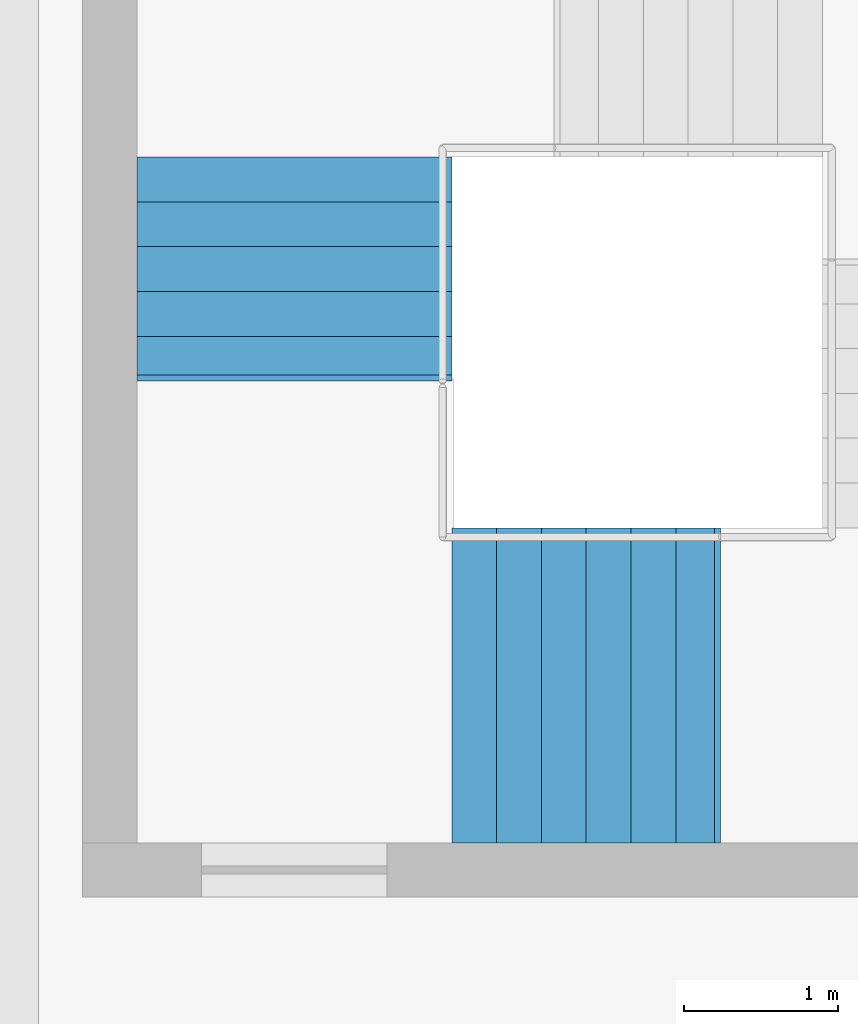
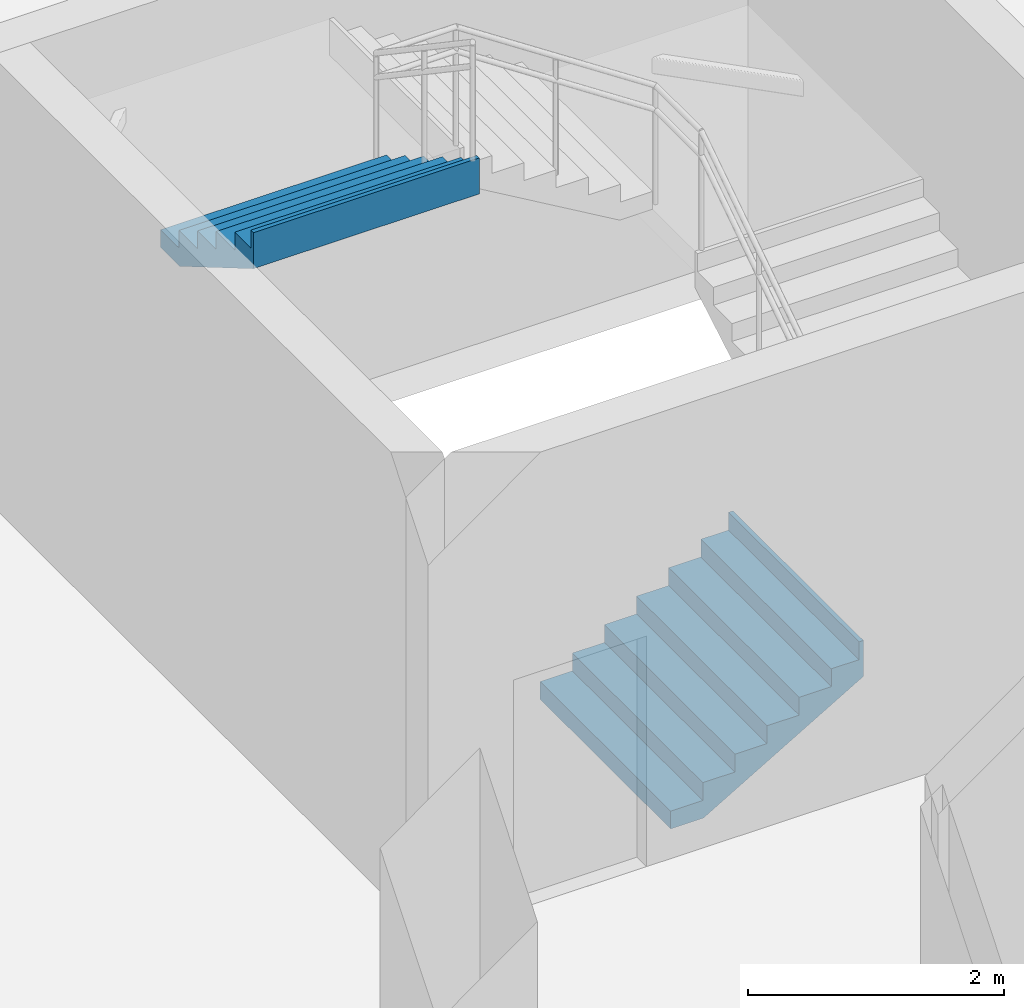
# One storey, part 18 of 32: 2 stair flights, 1 element without a shape of its own.
"""IFC4 building model written with IfcOpenShell, lengths in metres."""

import ifcopenshell
import ifcopenshell.guid

model = None  # the IFC model being written
_history = None  # IfcOwnerHistory: only IFC2X3 demands one
_inside = {}  # id of a spatial element -> (the spatial element, [elements in it])
_under = {}  # id of a project, library or spatial element -> (it, [spatial elements below it])
_declared = {}  # id of a project -> (the project, [libraries it declares])
_typed = {}  # id of a type object -> (the type object, [elements of that type])
_made_of = {}  # id of a material, layer set ... -> (it, [elements and type objects made of it])


def new_model(schema):
    """Start an empty IFC model of exactly this schema.

    Asked for "IFC4X3", IfcOpenShell would pick the latest addendum, in which some entities
    have other attributes; the version numbers below select the first issue.
    IFC2X3 requires an IfcOwnerHistory on every rooted entity: one is made here for all.
    """
    global model, _history
    if schema == "IFC4X3":
        model = ifcopenshell.file(schema_version=(4, 3, 0, 0))
    else:
        model = ifcopenshell.file(schema=schema)
    _inside.clear()
    _under.clear()
    _declared.clear()
    _typed.clear()
    _made_of.clear()
    _history = None
    if model.schema == "IFC2X3":
        org = make("IfcOrganization", Name="unknown")
        user = make(
            "IfcPersonAndOrganization",
            ThePerson=make("IfcPerson", FamilyName="unknown"),
            TheOrganization=org,
        )
        app = make(
            "IfcApplication",
            ApplicationDeveloper=org,
            Version="unknown",
            ApplicationFullName="unknown",
            ApplicationIdentifier="unknown",
        )
        _history = make(
            "IfcOwnerHistory",
            OwningUser=user,
            OwningApplication=app,
            ChangeAction="ADDED",
            CreationDate=0,
        )
    return model


def make(cls, **values):
    """One entity of the class cls with the attributes given. An attribute that is None is left unset."""
    return model.create_entity(
        cls, **{name: value for name, value in values.items() if value is not None}
    )


def rooted(cls, **values):
    """An entity with a GlobalId (a new one), such as an element, a storey or a relation."""
    return make(cls, GlobalId=ifcopenshell.guid.new(), OwnerHistory=_history, **values)


def si_unit(unit_type, name, prefix=None):
    """IfcSIUnit, for example si_unit("LENGTHUNIT", "METRE", prefix="MILLI")."""
    return make("IfcSIUnit", UnitType=unit_type, Prefix=prefix, Name=name)


def assignment(units):
    """IfcUnitAssignment: the units of a project."""
    return None if units is None else make("IfcUnitAssignment", Units=units)


def point(xyz):
    """IfcCartesianPoint."""
    return None if xyz is None else make("IfcCartesianPoint", Coordinates=xyz)


def direction(xyz):
    """IfcDirection."""
    return None if xyz is None else make("IfcDirection", DirectionRatios=xyz)


def frame(location, z_axis=None, x_axis=None):
    """IfcAxis2Placement3D, a coordinate frame: its origin and axes. An axis left out is left unset."""
    return make(
        "IfcAxis2Placement3D",
        Location=point(location),
        Axis=direction(z_axis),
        RefDirection=direction(x_axis),
    )


def origin():
    """The frame at (0, 0, 0) with its axes left unset."""
    return frame((0.0, 0.0, 0.0))


def place(relative_to, where):
    """IfcLocalPlacement: puts the frame where relative to a parent placement (None: the world)."""
    return make(
        "IfcLocalPlacement", PlacementRelTo=relative_to, RelativePlacement=where
    )


def context(
    kind, dimensions, precision=None, world=None, true_north=None, identifier=None
):
    """IfcGeometricRepresentationContext, for example the 3D "Model" context."""
    return make(
        "IfcGeometricRepresentationContext",
        ContextIdentifier=identifier,
        ContextType=kind,
        CoordinateSpaceDimension=dimensions,
        Precision=precision,
        WorldCoordinateSystem=world,
        TrueNorth=true_north,
    )


def subcontext(parent, identifier, kind, view, scale=None):
    """IfcGeometricRepresentationSubContext, for example "Body" below "Model"."""
    return make(
        "IfcGeometricRepresentationSubContext",
        ContextIdentifier=identifier,
        ContextType=kind,
        ParentContext=parent,
        TargetScale=scale,
        TargetView=view,
    )


def project(units=None, contexts=None):
    """IfcProject with its units and contexts."""
    return rooted(
        "IfcProject",
        Name="project",
        RepresentationContexts=contexts,
        UnitsInContext=assignment(units),
    )


def spatial(cls, under=None, at=None, **own):
    """A site, building, storey or space (cls), placed at a placement, below another one or the project."""
    s = rooted(cls, ObjectPlacement=at, **own)
    if under is not None:
        _under.setdefault(under.id(), (under, []))[1].append(s)
    return s


def point_list(points):
    """IfcCartesianPointList2D or 3D."""
    cls = (
        "IfcCartesianPointList2D" if len(points[0]) == 2 else "IfcCartesianPointList3D"
    )
    return make(cls, CoordList=points)


def triangles(points, corners, closed=None, point_numbers=None):
    """IfcTriangulatedFaceSet: each triangle names its three corners, points numbered from 1."""
    return make(
        "IfcTriangulatedFaceSet",
        Coordinates=point_list(points),
        Closed=closed,
        CoordIndex=corners,
        PnIndex=point_numbers,
    )


def shape(context_of_items, identifier, shape_type, items):
    """IfcShapeRepresentation: the items that make up one representation, for example the "Body"."""
    return make(
        "IfcShapeRepresentation",
        ContextOfItems=context_of_items,
        RepresentationIdentifier=identifier,
        RepresentationType=shape_type,
        Items=items,
    )


def material(Name=None, Category=None):
    """IfcMaterial."""
    return make("IfcMaterial", Name=Name, Category=Category)


def made_of(thing, what):
    """Note that an element or type object is made of a material, layer set ...; save() writes the relation."""
    if what is not None:
        _made_of.setdefault(what.id(), (what, []))[1].append(thing)
    return thing


def type_object(cls, material=None, **own):
    """A type object (cls), such as IfcWallType, which elements share."""
    return made_of(rooted(cls, **own), material)


def element(
    cls,
    number,
    at=None,
    inside=None,
    cuts=None,
    type_object=None,
    material=None,
    context=None,
    identifier="Body",
    shape_type=None,
    held_by="IfcProductDefinitionShape",
    body=None,
    shapes=None,
    **own,
):
    """One element of the class cls, such as IfcWall. Its Tag is "e" and its number.

    at: its placement. inside: the storey or other place that contains it. cuts: it is an
    opening in that element (IfcRelVoidsElement). A single representation is given by context,
    identifier, shape_type and body (its items); several are given by shapes. held_by: the class
    of the entity that holds the representations. save() writes the other relations.
    """
    e = rooted(cls, Tag="e%d" % number, ObjectPlacement=at, **own)
    if body is not None:
        shapes = [shape(context, identifier, shape_type, body)]
    if shapes is not None:
        e.Representation = make(held_by, Representations=shapes)
    if inside is not None:
        _inside.setdefault(inside.id(), (inside, []))[1].append(e)
    if cuts is not None:
        rooted(
            "IfcRelVoidsElement", RelatingBuildingElement=cuts, RelatedOpeningElement=e
        )
    if type_object is not None:
        _typed.setdefault(type_object.id(), (type_object, []))[1].append(e)
    return made_of(e, material)


def aggregate(whole, parts):
    """IfcRelAggregates: a whole, such as a stair, and the parts it consists of."""
    return rooted("IfcRelAggregates", RelatingObject=whole, RelatedObjects=parts)


def save(model, path):
    """Write the relations noted so far, then the file.

    IfcRelAggregates (storeys below a building ...), IfcRelContainedInSpatialStructure (elements
    in a storey), IfcRelDefinesByType, IfcRelAssociatesMaterial and IfcRelDeclares: one each for
    every whole, place, type object, material and project.
    """
    for whole, parts in _under.values():
        aggregate(whole, parts)
    for where, things in _inside.values():
        rooted(
            "IfcRelContainedInSpatialStructure",
            RelatedElements=things,
            RelatingStructure=where,
        )
    for kind, things in _typed.values():
        rooted("IfcRelDefinesByType", RelatedObjects=things, RelatingType=kind)
    for what, things in _made_of.values():
        rooted("IfcRelAssociatesMaterial", RelatedObjects=things, RelatingMaterial=what)
    for by, libraries in _declared.values():
        rooted("IfcRelDeclares", RelatingContext=by, RelatedDefinitions=libraries)
    model.write(path)


model = new_model("IFC4")

# Units and contexts
model_context = context("Model", 3, precision=1e-05, world=origin(), true_north=direction((0.0, 1.0)))
body_context = subcontext(model_context, "Body", "Model", "MODEL_VIEW")
ifc_project = project(units=[si_unit("LENGTHUNIT", "METRE"), si_unit("AREAUNIT", "SQUARE_METRE"), si_unit("VOLUMEUNIT", "CUBIC_METRE"), si_unit("PLANEANGLEUNIT", "RADIAN"), si_unit("MASSUNIT", "GRAM", prefix="KILO")], contexts=[model_context])

# Site, building, storey
site_placement = place(None, origin())
site = spatial("IfcSite", under=ifc_project, at=site_placement, CompositionType="ELEMENT")
building_placement = place(site_placement, origin())
building = spatial("IfcBuilding", under=site, at=building_placement, Name="Sillaruma Civic Art Gallery", CompositionType="ELEMENT")
storey_placement = place(building_placement, frame((0.0, 0.0, -4.590087890625)))
storey = spatial("IfcBuildingStorey", under=building, at=storey_placement, Name="B01", CompositionType="ELEMENT", Elevation=-4.590087890625)

# Stair, stair flights
ifc_material = material(Name="Concrete H35 (35 MPa)", Category="concrete")
stair_type = type_object("IfcStairType", Name="STR-4F-27", PredefinedType="USERDEFINED", material=ifc_material)
stair_placement = place(storey_placement, origin())
stair = element("IfcStair", 1, at=stair_placement, inside=storey, type_object=stair_type, Name="Protected Exit Stair ST-04 (East Bar) (B01)", ObjectType="THREE_RETURN_STAIR", PredefinedType="USERDEFINED")
stair_flight_type_1 = type_object("IfcStairFlightType", Name="SFL-STR-6", PredefinedType="STRAIGHT", material=ifc_material)
stair_flight_1_placement = place(storey_placement, frame((99.8798828125, 55.64990234375, 3.570068359375), z_axis=(0.0, 0.0, 1.0), x_axis=(0.0, -1.0, 0.0)))
stair_flight_1 = element("IfcStairFlight", 2, at=stair_flight_1_placement, type_object=stair_flight_type_1, Name="ST-04 flight 4", NumberOfRisers=6, NumberOfTreads=5, PredefinedType="STRAIGHT", RiserHeight=0.17, TreadLength=0.29, context=body_context, shape_type="Tessellation", body=[
    triangles([(0.0, -1.02001953125, 0.0), (0.29, -1.02001953125, 0.0), (0.296365, -1.02001953125, 0.0), (0.58, -1.02001953125, 0.166269), (0.87, -1.02001953125, 0.336269), (1.16, -1.02001953125, 0.506269), (1.409951, -1.02001953125, 0.652792), (1.449951, -1.02001953125, 0.67624), (1.449951, -1.02001953125, 1.02), (1.409951, -1.02001953125, 1.02), (1.409951, -1.02001953125, 0.85), (1.16, -1.02001953125, 0.85), (1.16, -1.02001953125, 0.68), (0.87, -1.02001953125, 0.68), (0.87, -1.02001953125, 0.51), (0.58, -1.02001953125, 0.51), (0.58, -1.02001953125, 0.34), (0.296365, -1.02001953125, 0.34), (0.29, -1.02001953125, 0.34), (0.29, -1.02001953125, 0.17), (0.0, -1.02001953125, 0.17), (0.0, -0.05, 0.0), (0.29, -0.05, 0.0), (0.296365, -0.05, 0.0), (0.58, -0.05, 0.166269), (0.87, -0.05, 0.336269), (1.16, -0.05, 0.506269), (1.409951, -0.05, 0.652792), (1.449951, -0.05, 0.67624), (1.449951, -0.05, 1.02), (1.409951, -0.05, 1.02), (1.409951, -0.05, 0.85), (1.16, -0.05, 0.85), (1.16, -0.05, 0.68), (0.87, -0.05, 0.68), (0.87, -0.05, 0.51), (0.58, -0.05, 0.51), (0.58, -0.05, 0.34), (0.296365, -0.05, 0.34), (0.29, -0.05, 0.34), (0.29, -0.05, 0.17), (0.0, -0.05, 0.17), (0.0, -0.0375, 0.0), (0.29, -0.0375, 0.0), (0.296365, -0.0375, 0.0), (0.58, -0.0375, 0.166269), (0.87, -0.0375, 0.336269), (1.16, -0.0375, 0.506269), (1.409951, -0.0375, 0.652792), (1.449951, -0.0375, 0.67624), (1.449951, -0.0375, 1.02), (1.409951, -0.0375, 1.02), (1.409951, -0.0375, 0.85), (1.16, -0.0375, 0.85), (1.16, -0.0375, 0.68), (0.87, -0.0375, 0.68), (0.87, -0.0375, 0.51), (0.58, -0.0375, 0.51), (0.58, -0.0375, 0.34), (0.296365, -0.0375, 0.34), (0.29, -0.0375, 0.34), (0.29, -0.0375, 0.17), (0.0, -0.0375, 0.17), (0.0, -0.025, 0.0), (0.29, -0.025, 0.0), (0.296365, -0.025, 0.0), (0.58, -0.025, 0.166269), (0.87, -0.025, 0.336269), (1.16, -0.025, 0.506269), (1.409951, -0.025, 0.652792), (1.449951, -0.025, 0.67624), (1.449951, -0.025, 1.02), (1.409951, -0.025, 1.02), (1.409951, -0.025, 0.85), (1.16, -0.025, 0.85), (1.16, -0.025, 0.68), (0.87, -0.025, 0.68), (0.87, -0.025, 0.51), (0.58, -0.025, 0.51), (0.58, -0.025, 0.34), (0.296365, -0.025, 0.34), (0.29, -0.025, 0.34), (0.29, -0.025, 0.17), (0.0, -0.025, 0.17), (0.0, -0.0125, 0.0), (0.29, -0.0125, 0.0), (0.296365, -0.0125, 0.0), (0.58, -0.0125, 0.166269), (0.87, -0.0125, 0.336269), (1.16, -0.0125, 0.506269), (1.409951, -0.0125, 0.652792), (1.449951, -0.0125, 0.67624), (1.449951, -0.0125, 1.02), (1.409951, -0.0125, 1.02), (1.409951, -0.0125, 0.85), (1.16, -0.0125, 0.85), (1.16, -0.0125, 0.68), (0.87, -0.0125, 0.68), (0.87, -0.0125, 0.51), (0.58, -0.0125, 0.51), (0.58, -0.0125, 0.34), (0.296365, -0.0125, 0.34), (0.29, -0.0125, 0.34), (0.29, -0.0125, 0.17), (0.0, -0.0125, 0.17), (0.0, 0.0, 0.0), (0.29, 0.0, 0.0), (0.296365, 0.0, 0.0), (0.58, 0.0, 0.166269), (0.87, 0.0, 0.336269), (1.16, 0.0, 0.506269), (1.409951, 0.0, 0.652792), (1.449951, 0.0, 0.67624), (1.449951, 0.0, 1.02), (1.409951, 0.0, 1.02), (1.409951, 0.0, 0.85), (1.16, 0.0, 0.85), (1.16, 0.0, 0.68), (0.87, 0.0, 0.68), (0.87, 0.0, 0.51), (0.58, 0.0, 0.51), (0.58, 0.0, 0.34), (0.296365, 0.0, 0.34), (0.29, 0.0, 0.34), (0.29, 0.0, 0.17), (0.0, 0.0, 0.17), (0.0, 0.0125, 0.0), (0.29, 0.0125, 0.0), (0.296365, 0.0125, 0.0), (0.58, 0.0125, 0.166269), (0.87, 0.0125, 0.336269), (1.16, 0.0125, 0.506269), (1.409951, 0.0125, 0.652792), (1.449951, 0.0125, 0.67624), (1.449951, 0.0125, 1.02), (1.409951, 0.0125, 1.02), (1.409951, 0.0125, 0.85), (1.16, 0.0125, 0.85), (1.16, 0.0125, 0.68), (0.87, 0.0125, 0.68), (0.87, 0.0125, 0.51), (0.58, 0.0125, 0.51), (0.58, 0.0125, 0.34), (0.296365, 0.0125, 0.34), (0.29, 0.0125, 0.34), (0.29, 0.0125, 0.17), (0.0, 0.0125, 0.17), (0.0, 0.025, 0.0), (0.29, 0.025, 0.0), (0.296365, 0.025, 0.0), (0.58, 0.025, 0.166269), (0.87, 0.025, 0.336269), (1.16, 0.025, 0.506269), (1.409951, 0.025, 0.652792), (1.449951, 0.025, 0.67624), (1.449951, 0.025, 1.02), (1.409951, 0.025, 1.02), (1.409951, 0.025, 0.85), (1.16, 0.025, 0.85), (1.16, 0.025, 0.68), (0.87, 0.025, 0.68), (0.87, 0.025, 0.51), (0.58, 0.025, 0.51), (0.58, 0.025, 0.34), (0.296365, 0.025, 0.34), (0.29, 0.025, 0.34), (0.29, 0.025, 0.17), (0.0, 0.025, 0.17), (0.0, 0.0375, 0.0), (0.29, 0.0375, 0.0), (0.296365, 0.0375, 0.0), (0.58, 0.0375, 0.166269), (0.87, 0.0375, 0.336269), (1.16, 0.0375, 0.506269), (1.409951, 0.0375, 0.652792), (1.449951, 0.0375, 0.67624), (1.449951, 0.0375, 1.02), (1.409951, 0.0375, 1.02), (1.409951, 0.0375, 0.85), (1.16, 0.0375, 0.85), (1.16, 0.0375, 0.68), (0.87, 0.0375, 0.68), (0.87, 0.0375, 0.51), (0.58, 0.0375, 0.51), (0.58, 0.0375, 0.34), (0.296365, 0.0375, 0.34), (0.29, 0.0375, 0.34), (0.29, 0.0375, 0.17), (0.0, 0.0375, 0.17), (0.0, 0.05, 0.0), (0.29, 0.05, 0.0), (0.296365, 0.05, 0.0), (0.58, 0.05, 0.166269), (0.87, 0.05, 0.336269), (1.16, 0.05, 0.506269), (1.409951, 0.05, 0.652792), (1.449951, 0.05, 0.67624), (1.449951, 0.05, 1.02), (1.409951, 0.05, 1.02), (1.409951, 0.05, 0.85), (1.16, 0.05, 0.85), (1.16, 0.05, 0.68), (0.87, 0.05, 0.68), (0.87, 0.05, 0.51), (0.58, 0.05, 0.51), (0.58, 0.05, 0.34), (0.296365, 0.05, 0.34), (0.29, 0.05, 0.34), (0.29, 0.05, 0.17), (0.0, 0.05, 0.17), (0.0, 1.02001953125, 0.0), (0.29, 1.02001953125, 0.0), (0.296365, 1.02001953125, 0.0), (0.58, 1.02001953125, 0.166269), (0.87, 1.02001953125, 0.336269), (1.16, 1.02001953125, 0.506269), (1.409951, 1.02001953125, 0.652792), (1.449951, 1.02001953125, 0.67624), (1.449951, 1.02001953125, 1.02), (1.409951, 1.02001953125, 1.02), (1.409951, 1.02001953125, 0.85), (1.16, 1.02001953125, 0.85), (1.16, 1.02001953125, 0.68), (0.87, 1.02001953125, 0.68), (0.87, 1.02001953125, 0.51), (0.58, 1.02001953125, 0.51), (0.58, 1.02001953125, 0.34), (0.296365, 1.02001953125, 0.34), (0.29, 1.02001953125, 0.34), (0.29, 1.02001953125, 0.17), (0.0, 1.02001953125, 0.17)], [[1, 2, 20], [1, 20, 21], [2, 3, 18], [2, 18, 20], [20, 18, 19], [3, 4, 17], [3, 17, 18], [4, 5, 15], [4, 15, 17], [17, 15, 16], [5, 6, 13], [5, 13, 15], [15, 13, 14], [6, 7, 11], [6, 11, 13], [13, 11, 12], [7, 8, 9], [7, 9, 11], [11, 9, 10], [230, 212, 211], [231, 230, 211], [228, 213, 212], [230, 228, 212], [229, 228, 230], [227, 214, 213], [228, 227, 213], [225, 215, 214], [227, 225, 214], [226, 225, 227], [223, 216, 215], [225, 223, 215], [224, 223, 225], [221, 217, 216], [223, 221, 216], [222, 221, 223], [219, 218, 217], [221, 219, 217], [220, 219, 221], [2, 1, 22], [2, 22, 23], [3, 2, 23], [3, 23, 24], [4, 3, 24], [4, 24, 25], [5, 4, 25], [5, 25, 26], [6, 5, 26], [6, 26, 27], [7, 6, 27], [7, 27, 28], [8, 7, 28], [8, 28, 29], [9, 8, 29], [9, 29, 30], [10, 9, 30], [10, 30, 31], [11, 10, 31], [11, 31, 32], [12, 11, 32], [12, 32, 33], [13, 12, 33], [13, 33, 34], [14, 13, 34], [14, 34, 35], [15, 14, 35], [15, 35, 36], [16, 15, 36], [16, 36, 37], [17, 16, 37], [17, 37, 38], [18, 17, 38], [18, 38, 39], [19, 18, 39], [19, 39, 40], [20, 19, 40], [20, 40, 41], [21, 20, 41], [21, 41, 42], [1, 21, 42], [1, 42, 22], [23, 22, 43], [23, 43, 44], [24, 23, 44], [24, 44, 45], [25, 24, 45], [25, 45, 46], [26, 25, 46], [26, 46, 47], [27, 26, 47], [27, 47, 48], [28, 27, 48], [28, 48, 49], [29, 28, 49], [29, 49, 50], [30, 29, 50], [30, 50, 51], [31, 30, 51], [31, 51, 52], [32, 31, 52], [32, 52, 53], [33, 32, 53], [33, 53, 54], [34, 33, 54], [34, 54, 55], [35, 34, 55], [35, 55, 56], [36, 35, 56], [36, 56, 57], [37, 36, 57], [37, 57, 58], [38, 37, 58], [38, 58, 59], [39, 38, 59], [39, 59, 60], [40, 39, 60], [40, 60, 61], [41, 40, 61], [41, 61, 62], [42, 41, 62], [42, 62, 63], [22, 42, 63], [22, 63, 43], [44, 43, 64], [44, 64, 65], [45, 44, 65], [45, 65, 66], [46, 45, 66], [46, 66, 67], [47, 46, 67], [47, 67, 68], [48, 47, 68], [48, 68, 69], [49, 48, 69], [49, 69, 70], [50, 49, 70], [50, 70, 71], [51, 50, 71], [51, 71, 72], [52, 51, 72], [52, 72, 73], [53, 52, 73], [53, 73, 74], [54, 53, 74], [54, 74, 75], [55, 54, 75], [55, 75, 76], [56, 55, 76], [56, 76, 77], [57, 56, 77], [57, 77, 78], [58, 57, 78], [58, 78, 79], [59, 58, 79], [59, 79, 80], [60, 59, 80], [60, 80, 81], [61, 60, 81], [61, 81, 82], [62, 61, 82], [62, 82, 83], [63, 62, 83], [63, 83, 84], [43, 63, 84], [43, 84, 64], [65, 64, 85], [65, 85, 86], [66, 65, 86], [66, 86, 87], [67, 66, 87], [67, 87, 88], [68, 67, 88], [68, 88, 89], [69, 68, 89], [69, 89, 90], [70, 69, 90], [70, 90, 91], [71, 70, 91], [71, 91, 92], [72, 71, 92], [72, 92, 93], [73, 72, 93], [73, 93, 94], [74, 73, 94], [74, 94, 95], [75, 74, 95], [75, 95, 96], [76, 75, 96], [76, 96, 97], [77, 76, 97], [77, 97, 98], [78, 77, 98], [78, 98, 99], [79, 78, 99], [79, 99, 100], [80, 79, 100], [80, 100, 101], [81, 80, 101], [81, 101, 102], [82, 81, 102], [82, 102, 103], [83, 82, 103], [83, 103, 104], [84, 83, 104], [84, 104, 105], [64, 84, 105], [64, 105, 85], [86, 85, 106], [86, 106, 107], [87, 86, 107], [87, 107, 108], [88, 87, 108], [88, 108, 109], [89, 88, 109], [89, 109, 110], [90, 89, 110], [90, 110, 111], [91, 90, 111], [91, 111, 112], [92, 91, 112], [92, 112, 113], [93, 92, 113], [93, 113, 114], [94, 93, 114], [94, 114, 115], [95, 94, 115], [95, 115, 116], [96, 95, 116], [96, 116, 117], [97, 96, 117], [97, 117, 118], [98, 97, 118], [98, 118, 119], [99, 98, 119], [99, 119, 120], [100, 99, 120], [100, 120, 121], [101, 100, 121], [101, 121, 122], [102, 101, 122], [102, 122, 123], [103, 102, 123], [103, 123, 124], [104, 103, 124], [104, 124, 125], [105, 104, 125], [105, 125, 126], [85, 105, 126], [85, 126, 106], [107, 106, 127], [107, 127, 128], [108, 107, 128], [108, 128, 129], [109, 108, 129], [109, 129, 130], [110, 109, 130], [110, 130, 131], [111, 110, 131], [111, 131, 132], [112, 111, 132], [112, 132, 133], [113, 112, 133], [113, 133, 134], [114, 113, 134], [114, 134, 135], [115, 114, 135], [115, 135, 136], [116, 115, 136], [116, 136, 137], [117, 116, 137], [117, 137, 138], [118, 117, 138], [118, 138, 139], [119, 118, 139], [119, 139, 140], [120, 119, 140], [120, 140, 141], [121, 120, 141], [121, 141, 142], [122, 121, 142], [122, 142, 143], [123, 122, 143], [123, 143, 144], [124, 123, 144], [124, 144, 145], [125, 124, 145], [125, 145, 146], [126, 125, 146], [126, 146, 147], [106, 126, 147], [106, 147, 127], [128, 127, 148], [128, 148, 149], [129, 128, 149], [129, 149, 150], [130, 129, 150], [130, 150, 151], [131, 130, 151], [131, 151, 152], [132, 131, 152], [132, 152, 153], [133, 132, 153], [133, 153, 154], [134, 133, 154], [134, 154, 155], [135, 134, 155], [135, 155, 156], [136, 135, 156], [136, 156, 157], [137, 136, 157], [137, 157, 158], [138, 137, 158], [138, 158, 159], [139, 138, 159], [139, 159, 160], [140, 139, 160], [140, 160, 161], [141, 140, 161], [141, 161, 162], [142, 141, 162], [142, 162, 163], [143, 142, 163], [143, 163, 164], [144, 143, 164], [144, 164, 165], [145, 144, 165], [145, 165, 166], [146, 145, 166], [146, 166, 167], [147, 146, 167], [147, 167, 168], [127, 147, 168], [127, 168, 148], [149, 148, 169], [149, 169, 170], [150, 149, 170], [150, 170, 171], [151, 150, 171], [151, 171, 172], [152, 151, 172], [152, 172, 173], [153, 152, 173], [153, 173, 174], [154, 153, 174], [154, 174, 175], [155, 154, 175], [155, 175, 176], [156, 155, 176], [156, 176, 177], [157, 156, 177], [157, 177, 178], [158, 157, 178], [158, 178, 179], [159, 158, 179], [159, 179, 180], [160, 159, 180], [160, 180, 181], [161, 160, 181], [161, 181, 182], [162, 161, 182], [162, 182, 183], [163, 162, 183], [163, 183, 184], [164, 163, 184], [164, 184, 185], [165, 164, 185], [165, 185, 186], [166, 165, 186], [166, 186, 187], [167, 166, 187], [167, 187, 188], [168, 167, 188], [168, 188, 189], [148, 168, 189], [148, 189, 169], [170, 169, 190], [170, 190, 191], [171, 170, 191], [171, 191, 192], [172, 171, 192], [172, 192, 193], [173, 172, 193], [173, 193, 194], [174, 173, 194], [174, 194, 195], [175, 174, 195], [175, 195, 196], [176, 175, 196], [176, 196, 197], [177, 176, 197], [177, 197, 198], [178, 177, 198], [178, 198, 199], [179, 178, 199], [179, 199, 200], [180, 179, 200], [180, 200, 201], [181, 180, 201], [181, 201, 202], [182, 181, 202], [182, 202, 203], [183, 182, 203], [183, 203, 204], [184, 183, 204], [184, 204, 205], [185, 184, 205], [185, 205, 206], [186, 185, 206], [186, 206, 207], [187, 186, 207], [187, 207, 208], [188, 187, 208], [188, 208, 209], [189, 188, 209], [189, 209, 210], [169, 189, 210], [169, 210, 190], [191, 190, 211], [191, 211, 212], [192, 191, 212], [192, 212, 213], [193, 192, 213], [193, 213, 214], [194, 193, 214], [194, 214, 215], [195, 194, 215], [195, 215, 216], [196, 195, 216], [196, 216, 217], [197, 196, 217], [197, 217, 218], [198, 197, 218], [198, 218, 219], [199, 198, 219], [199, 219, 220], [200, 199, 220], [200, 220, 221], [201, 200, 221], [201, 221, 222], [202, 201, 222], [202, 222, 223], [203, 202, 223], [203, 223, 224], [204, 203, 224], [204, 224, 225], [205, 204, 225], [205, 225, 226], [206, 205, 226], [206, 226, 227], [207, 206, 227], [207, 227, 228], [208, 207, 228], [208, 228, 229], [209, 208, 229], [209, 229, 230], [210, 209, 230], [210, 230, 231], [190, 210, 231], [190, 231, 211]], closed=True),
])
stair_flight_type_2 = type_object("IfcStairFlightType", Name="SFL-STR-7", PredefinedType="STRAIGHT", material=ifc_material)
stair_flight_2_placement = place(storey_placement, frame((100.89990234375, 52.22998046875, 0.0), z_axis=(0.0, 0.0, 1.0), x_axis=(1.0, 0.0, 0.0)))
stair_flight_2 = element("IfcStairFlight", 3, at=stair_flight_2_placement, type_object=stair_flight_type_2, Name="ST-04 flight 1", NumberOfRisers=7, NumberOfTreads=6, PredefinedType="STRAIGHT", RiserHeight=0.17, TreadLength=0.29, context=body_context, shape_type="Tessellation", body=[
    triangles([(0.0, -1.02001953125, 0.0), (0.29, -1.02001953125, 0.0), (0.296404, -1.02001953125, 0.0), (0.58, -1.02001953125, 0.166246), (0.87, -1.02001953125, 0.336246), (1.16, -1.02001953125, 0.506246), (1.45, -1.02001953125, 0.676246), (1.69999, -1.02001953125, 0.822792), (1.73999, -1.02001953125, 0.84624), (1.73999, -1.02001953125, 1.19), (1.69999, -1.02001953125, 1.19), (1.69999, -1.02001953125, 1.02), (1.45, -1.02001953125, 1.02), (1.45, -1.02001953125, 0.85), (1.16, -1.02001953125, 0.85), (1.16, -1.02001953125, 0.68), (0.87, -1.02001953125, 0.68), (0.87, -1.02001953125, 0.51), (0.58, -1.02001953125, 0.51), (0.58, -1.02001953125, 0.34), (0.296404, -1.02001953125, 0.34), (0.29, -1.02001953125, 0.34), (0.29, -1.02001953125, 0.17), (0.0, -1.02001953125, 0.17), (0.0, -0.05, 0.0), (0.29, -0.05, 0.0), (0.296404, -0.05, 0.0), (0.58, -0.05, 0.166246), (0.87, -0.05, 0.336246), (1.16, -0.05, 0.506246), (1.45, -0.05, 0.676246), (1.69999, -0.05, 0.822792), (1.73999, -0.05, 0.84624), (1.73999, -0.05, 1.19), (1.69999, -0.05, 1.19), (1.69999, -0.05, 1.02), (1.45, -0.05, 1.02), (1.45, -0.05, 0.85), (1.16, -0.05, 0.85), (1.16, -0.05, 0.68), (0.87, -0.05, 0.68), (0.87, -0.05, 0.51), (0.58, -0.05, 0.51), (0.58, -0.05, 0.34), (0.296404, -0.05, 0.34), (0.29, -0.05, 0.34), (0.29, -0.05, 0.17), (0.0, -0.05, 0.17), (0.0, -0.0375, 0.0), (0.29, -0.0375, 0.0), (0.296404, -0.0375, 0.0), (0.58, -0.0375, 0.166246), (0.87, -0.0375, 0.336246), (1.16, -0.0375, 0.506246), (1.45, -0.0375, 0.676246), (1.69999, -0.0375, 0.822792), (1.73999, -0.0375, 0.84624), (1.73999, -0.0375, 1.19), (1.69999, -0.0375, 1.19), (1.69999, -0.0375, 1.02), (1.45, -0.0375, 1.02), (1.45, -0.0375, 0.85), (1.16, -0.0375, 0.85), (1.16, -0.0375, 0.68), (0.87, -0.0375, 0.68), (0.87, -0.0375, 0.51), (0.58, -0.0375, 0.51), (0.58, -0.0375, 0.34), (0.296404, -0.0375, 0.34), (0.29, -0.0375, 0.34), (0.29, -0.0375, 0.17), (0.0, -0.0375, 0.17), (0.0, -0.025, 0.0), (0.29, -0.025, 0.0), (0.296404, -0.025, 0.0), (0.58, -0.025, 0.166246), (0.87, -0.025, 0.336246), (1.16, -0.025, 0.506246), (1.45, -0.025, 0.676246), (1.69999, -0.025, 0.822792), (1.73999, -0.025, 0.84624), (1.73999, -0.025, 1.19), (1.69999, -0.025, 1.19), (1.69999, -0.025, 1.02), (1.45, -0.025, 1.02), (1.45, -0.025, 0.85), (1.16, -0.025, 0.85), (1.16, -0.025, 0.68), (0.87, -0.025, 0.68), (0.87, -0.025, 0.51), (0.58, -0.025, 0.51), (0.58, -0.025, 0.34), (0.296404, -0.025, 0.34), (0.29, -0.025, 0.34), (0.29, -0.025, 0.17), (0.0, -0.025, 0.17), (0.0, -0.0125, 0.0), (0.29, -0.0125, 0.0), (0.296404, -0.0125, 0.0), (0.58, -0.0125, 0.166246), (0.87, -0.0125, 0.336246), (1.16, -0.0125, 0.506246), (1.45, -0.0125, 0.676246), (1.69999, -0.0125, 0.822792), (1.73999, -0.0125, 0.84624), (1.73999, -0.0125, 1.19), (1.69999, -0.0125, 1.19), (1.69999, -0.0125, 1.02), (1.45, -0.0125, 1.02), (1.45, -0.0125, 0.85), (1.16, -0.0125, 0.85), (1.16, -0.0125, 0.68), (0.87, -0.0125, 0.68), (0.87, -0.0125, 0.51), (0.58, -0.0125, 0.51), (0.58, -0.0125, 0.34), (0.296404, -0.0125, 0.34), (0.29, -0.0125, 0.34), (0.29, -0.0125, 0.17), (0.0, -0.0125, 0.17), (0.0, 0.0, 0.0), (0.29, 0.0, 0.0), (0.296404, 0.0, 0.0), (0.58, 0.0, 0.166246), (0.87, 0.0, 0.336246), (1.16, 0.0, 0.506246), (1.45, 0.0, 0.676246), (1.69999, 0.0, 0.822792), (1.73999, 0.0, 0.84624), (1.73999, 0.0, 1.19), (1.69999, 0.0, 1.19), (1.69999, 0.0, 1.02), (1.45, 0.0, 1.02), (1.45, 0.0, 0.85), (1.16, 0.0, 0.85), (1.16, 0.0, 0.68), (0.87, 0.0, 0.68), (0.87, 0.0, 0.51), (0.58, 0.0, 0.51), (0.58, 0.0, 0.34), (0.296404, 0.0, 0.34), (0.29, 0.0, 0.34), (0.29, 0.0, 0.17), (0.0, 0.0, 0.17), (0.0, 0.0125, 0.0), (0.29, 0.0125, 0.0), (0.296404, 0.0125, 0.0), (0.58, 0.0125, 0.166246), (0.87, 0.0125, 0.336246), (1.16, 0.0125, 0.506246), (1.45, 0.0125, 0.676246), (1.69999, 0.0125, 0.822792), (1.73999, 0.0125, 0.84624), (1.73999, 0.0125, 1.19), (1.69999, 0.0125, 1.19), (1.69999, 0.0125, 1.02), (1.45, 0.0125, 1.02), (1.45, 0.0125, 0.85), (1.16, 0.0125, 0.85), (1.16, 0.0125, 0.68), (0.87, 0.0125, 0.68), (0.87, 0.0125, 0.51), (0.58, 0.0125, 0.51), (0.58, 0.0125, 0.34), (0.296404, 0.0125, 0.34), (0.29, 0.0125, 0.34), (0.29, 0.0125, 0.17), (0.0, 0.0125, 0.17), (0.0, 0.025, 0.0), (0.29, 0.025, 0.0), (0.296404, 0.025, 0.0), (0.58, 0.025, 0.166246), (0.87, 0.025, 0.336246), (1.16, 0.025, 0.506246), (1.45, 0.025, 0.676246), (1.69999, 0.025, 0.822792), (1.73999, 0.025, 0.84624), (1.73999, 0.025, 1.19), (1.69999, 0.025, 1.19), (1.69999, 0.025, 1.02), (1.45, 0.025, 1.02), (1.45, 0.025, 0.85), (1.16, 0.025, 0.85), (1.16, 0.025, 0.68), (0.87, 0.025, 0.68), (0.87, 0.025, 0.51), (0.58, 0.025, 0.51), (0.58, 0.025, 0.34), (0.296404, 0.025, 0.34), (0.29, 0.025, 0.34), (0.29, 0.025, 0.17), (0.0, 0.025, 0.17), (0.0, 0.0375, 0.0), (0.29, 0.0375, 0.0), (0.296404, 0.0375, 0.0), (0.58, 0.0375, 0.166246), (0.87, 0.0375, 0.336246), (1.16, 0.0375, 0.506246), (1.45, 0.0375, 0.676246), (1.69999, 0.0375, 0.822792), (1.73999, 0.0375, 0.84624), (1.73999, 0.0375, 1.19), (1.69999, 0.0375, 1.19), (1.69999, 0.0375, 1.02), (1.45, 0.0375, 1.02), (1.45, 0.0375, 0.85), (1.16, 0.0375, 0.85), (1.16, 0.0375, 0.68), (0.87, 0.0375, 0.68), (0.87, 0.0375, 0.51), (0.58, 0.0375, 0.51), (0.58, 0.0375, 0.34), (0.296404, 0.0375, 0.34), (0.29, 0.0375, 0.34), (0.29, 0.0375, 0.17), (0.0, 0.0375, 0.17), (0.0, 0.05, 0.0), (0.29, 0.05, 0.0), (0.296404, 0.05, 0.0), (0.58, 0.05, 0.166246), (0.87, 0.05, 0.336246), (1.16, 0.05, 0.506246), (1.45, 0.05, 0.676246), (1.69999, 0.05, 0.822792), (1.73999, 0.05, 0.84624), (1.73999, 0.05, 1.19), (1.69999, 0.05, 1.19), (1.69999, 0.05, 1.02), (1.45, 0.05, 1.02), (1.45, 0.05, 0.85), (1.16, 0.05, 0.85), (1.16, 0.05, 0.68), (0.87, 0.05, 0.68), (0.87, 0.05, 0.51), (0.58, 0.05, 0.51), (0.58, 0.05, 0.34), (0.296404, 0.05, 0.34), (0.29, 0.05, 0.34), (0.29, 0.05, 0.17), (0.0, 0.05, 0.17), (0.0, 1.02001953125, 0.0), (0.29, 1.02001953125, 0.0), (0.296404, 1.02001953125, 0.0), (0.58, 1.02001953125, 0.166246), (0.87, 1.02001953125, 0.336246), (1.16, 1.02001953125, 0.506246), (1.45, 1.02001953125, 0.676246), (1.69999, 1.02001953125, 0.822792), (1.73999, 1.02001953125, 0.84624), (1.73999, 1.02001953125, 1.19), (1.69999, 1.02001953125, 1.19), (1.69999, 1.02001953125, 1.02), (1.45, 1.02001953125, 1.02), (1.45, 1.02001953125, 0.85), (1.16, 1.02001953125, 0.85), (1.16, 1.02001953125, 0.68), (0.87, 1.02001953125, 0.68), (0.87, 1.02001953125, 0.51), (0.58, 1.02001953125, 0.51), (0.58, 1.02001953125, 0.34), (0.296404, 1.02001953125, 0.34), (0.29, 1.02001953125, 0.34), (0.29, 1.02001953125, 0.17), (0.0, 1.02001953125, 0.17)], [[1, 2, 23], [1, 23, 24], [2, 3, 21], [2, 21, 23], [23, 21, 22], [3, 4, 20], [3, 20, 21], [4, 5, 18], [4, 18, 20], [20, 18, 19], [5, 6, 16], [5, 16, 18], [18, 16, 17], [6, 7, 14], [6, 14, 16], [16, 14, 15], [7, 8, 12], [7, 12, 14], [14, 12, 13], [8, 9, 10], [8, 10, 12], [12, 10, 11], [263, 242, 241], [264, 263, 241], [261, 243, 242], [263, 261, 242], [262, 261, 263], [260, 244, 243], [261, 260, 243], [258, 245, 244], [260, 258, 244], [259, 258, 260], [256, 246, 245], [258, 256, 245], [257, 256, 258], [254, 247, 246], [256, 254, 246], [255, 254, 256], [252, 248, 247], [254, 252, 247], [253, 252, 254], [250, 249, 248], [252, 250, 248], [251, 250, 252], [2, 1, 25], [2, 25, 26], [3, 2, 26], [3, 26, 27], [4, 3, 27], [4, 27, 28], [5, 4, 28], [5, 28, 29], [6, 5, 29], [6, 29, 30], [7, 6, 30], [7, 30, 31], [8, 7, 31], [8, 31, 32], [9, 8, 32], [9, 32, 33], [10, 9, 33], [10, 33, 34], [11, 10, 34], [11, 34, 35], [12, 11, 35], [12, 35, 36], [13, 12, 36], [13, 36, 37], [14, 13, 37], [14, 37, 38], [15, 14, 38], [15, 38, 39], [16, 15, 39], [16, 39, 40], [17, 16, 40], [17, 40, 41], [18, 17, 41], [18, 41, 42], [19, 18, 42], [19, 42, 43], [20, 19, 43], [20, 43, 44], [21, 20, 44], [21, 44, 45], [22, 21, 45], [22, 45, 46], [23, 22, 46], [23, 46, 47], [24, 23, 47], [24, 47, 48], [1, 24, 48], [1, 48, 25], [26, 25, 49], [26, 49, 50], [27, 26, 50], [27, 50, 51], [28, 27, 51], [28, 51, 52], [29, 28, 52], [29, 52, 53], [30, 29, 53], [30, 53, 54], [31, 30, 54], [31, 54, 55], [32, 31, 55], [32, 55, 56], [33, 32, 56], [33, 56, 57], [34, 33, 57], [34, 57, 58], [35, 34, 58], [35, 58, 59], [36, 35, 59], [36, 59, 60], [37, 36, 60], [37, 60, 61], [38, 37, 61], [38, 61, 62], [39, 38, 62], [39, 62, 63], [40, 39, 63], [40, 63, 64], [41, 40, 64], [41, 64, 65], [42, 41, 65], [42, 65, 66], [43, 42, 66], [43, 66, 67], [44, 43, 67], [44, 67, 68], [45, 44, 68], [45, 68, 69], [46, 45, 69], [46, 69, 70], [47, 46, 70], [47, 70, 71], [48, 47, 71], [48, 71, 72], [25, 48, 72], [25, 72, 49], [50, 49, 73], [50, 73, 74], [51, 50, 74], [51, 74, 75], [52, 51, 75], [52, 75, 76], [53, 52, 76], [53, 76, 77], [54, 53, 77], [54, 77, 78], [55, 54, 78], [55, 78, 79], [56, 55, 79], [56, 79, 80], [57, 56, 80], [57, 80, 81], [58, 57, 81], [58, 81, 82], [59, 58, 82], [59, 82, 83], [60, 59, 83], [60, 83, 84], [61, 60, 84], [61, 84, 85], [62, 61, 85], [62, 85, 86], [63, 62, 86], [63, 86, 87], [64, 63, 87], [64, 87, 88], [65, 64, 88], [65, 88, 89], [66, 65, 89], [66, 89, 90], [67, 66, 90], [67, 90, 91], [68, 67, 91], [68, 91, 92], [69, 68, 92], [69, 92, 93], [70, 69, 93], [70, 93, 94], [71, 70, 94], [71, 94, 95], [72, 71, 95], [72, 95, 96], [49, 72, 96], [49, 96, 73], [74, 73, 97], [74, 97, 98], [75, 74, 98], [75, 98, 99], [76, 75, 99], [76, 99, 100], [77, 76, 100], [77, 100, 101], [78, 77, 101], [78, 101, 102], [79, 78, 102], [79, 102, 103], [80, 79, 103], [80, 103, 104], [81, 80, 104], [81, 104, 105], [82, 81, 105], [82, 105, 106], [83, 82, 106], [83, 106, 107], [84, 83, 107], [84, 107, 108], [85, 84, 108], [85, 108, 109], [86, 85, 109], [86, 109, 110], [87, 86, 110], [87, 110, 111], [88, 87, 111], [88, 111, 112], [89, 88, 112], [89, 112, 113], [90, 89, 113], [90, 113, 114], [91, 90, 114], [91, 114, 115], [92, 91, 115], [92, 115, 116], [93, 92, 116], [93, 116, 117], [94, 93, 117], [94, 117, 118], [95, 94, 118], [95, 118, 119], [96, 95, 119], [96, 119, 120], [73, 96, 120], [73, 120, 97], [98, 97, 121], [98, 121, 122], [99, 98, 122], [99, 122, 123], [100, 99, 123], [100, 123, 124], [101, 100, 124], [101, 124, 125], [102, 101, 125], [102, 125, 126], [103, 102, 126], [103, 126, 127], [104, 103, 127], [104, 127, 128], [105, 104, 128], [105, 128, 129], [106, 105, 129], [106, 129, 130], [107, 106, 130], [107, 130, 131], [108, 107, 131], [108, 131, 132], [109, 108, 132], [109, 132, 133], [110, 109, 133], [110, 133, 134], [111, 110, 134], [111, 134, 135], [112, 111, 135], [112, 135, 136], [113, 112, 136], [113, 136, 137], [114, 113, 137], [114, 137, 138], [115, 114, 138], [115, 138, 139], [116, 115, 139], [116, 139, 140], [117, 116, 140], [117, 140, 141], [118, 117, 141], [118, 141, 142], [119, 118, 142], [119, 142, 143], [120, 119, 143], [120, 143, 144], [97, 120, 144], [97, 144, 121], [122, 121, 145], [122, 145, 146], [123, 122, 146], [123, 146, 147], [124, 123, 147], [124, 147, 148], [125, 124, 148], [125, 148, 149], [126, 125, 149], [126, 149, 150], [127, 126, 150], [127, 150, 151], [128, 127, 151], [128, 151, 152], [129, 128, 152], [129, 152, 153], [130, 129, 153], [130, 153, 154], [131, 130, 154], [131, 154, 155], [132, 131, 155], [132, 155, 156], [133, 132, 156], [133, 156, 157], [134, 133, 157], [134, 157, 158], [135, 134, 158], [135, 158, 159], [136, 135, 159], [136, 159, 160], [137, 136, 160], [137, 160, 161], [138, 137, 161], [138, 161, 162], [139, 138, 162], [139, 162, 163], [140, 139, 163], [140, 163, 164], [141, 140, 164], [141, 164, 165], [142, 141, 165], [142, 165, 166], [143, 142, 166], [143, 166, 167], [144, 143, 167], [144, 167, 168], [121, 144, 168], [121, 168, 145], [146, 145, 169], [146, 169, 170], [147, 146, 170], [147, 170, 171], [148, 147, 171], [148, 171, 172], [149, 148, 172], [149, 172, 173], [150, 149, 173], [150, 173, 174], [151, 150, 174], [151, 174, 175], [152, 151, 175], [152, 175, 176], [153, 152, 176], [153, 176, 177], [154, 153, 177], [154, 177, 178], [155, 154, 178], [155, 178, 179], [156, 155, 179], [156, 179, 180], [157, 156, 180], [157, 180, 181], [158, 157, 181], [158, 181, 182], [159, 158, 182], [159, 182, 183], [160, 159, 183], [160, 183, 184], [161, 160, 184], [161, 184, 185], [162, 161, 185], [162, 185, 186], [163, 162, 186], [163, 186, 187], [164, 163, 187], [164, 187, 188], [165, 164, 188], [165, 188, 189], [166, 165, 189], [166, 189, 190], [167, 166, 190], [167, 190, 191], [168, 167, 191], [168, 191, 192], [145, 168, 192], [145, 192, 169], [170, 169, 193], [170, 193, 194], [171, 170, 194], [171, 194, 195], [172, 171, 195], [172, 195, 196], [173, 172, 196], [173, 196, 197], [174, 173, 197], [174, 197, 198], [175, 174, 198], [175, 198, 199], [176, 175, 199], [176, 199, 200], [177, 176, 200], [177, 200, 201], [178, 177, 201], [178, 201, 202], [179, 178, 202], [179, 202, 203], [180, 179, 203], [180, 203, 204], [181, 180, 204], [181, 204, 205], [182, 181, 205], [182, 205, 206], [183, 182, 206], [183, 206, 207], [184, 183, 207], [184, 207, 208], [185, 184, 208], [185, 208, 209], [186, 185, 209], [186, 209, 210], [187, 186, 210], [187, 210, 211], [188, 187, 211], [188, 211, 212], [189, 188, 212], [189, 212, 213], [190, 189, 213], [190, 213, 214], [191, 190, 214], [191, 214, 215], [192, 191, 215], [192, 215, 216], [169, 192, 216], [169, 216, 193], [194, 193, 217], [194, 217, 218], [195, 194, 218], [195, 218, 219], [196, 195, 219], [196, 219, 220], [197, 196, 220], [197, 220, 221], [198, 197, 221], [198, 221, 222], [199, 198, 222], [199, 222, 223], [200, 199, 223], [200, 223, 224], [201, 200, 224], [201, 224, 225], [202, 201, 225], [202, 225, 226], [203, 202, 226], [203, 226, 227], [204, 203, 227], [204, 227, 228], [205, 204, 228], [205, 228, 229], [206, 205, 229], [206, 229, 230], [207, 206, 230], [207, 230, 231], [208, 207, 231], [208, 231, 232], [209, 208, 232], [209, 232, 233], [210, 209, 233], [210, 233, 234], [211, 210, 234], [211, 234, 235], [212, 211, 235], [212, 235, 236], [213, 212, 236], [213, 236, 237], [214, 213, 237], [214, 237, 238], [215, 214, 238], [215, 238, 239], [216, 215, 239], [216, 239, 240], [193, 216, 240], [193, 240, 217], [218, 217, 241], [218, 241, 242], [219, 218, 242], [219, 242, 243], [220, 219, 243], [220, 243, 244], [221, 220, 244], [221, 244, 245], [222, 221, 245], [222, 245, 246], [223, 222, 246], [223, 246, 247], [224, 223, 247], [224, 247, 248], [225, 224, 248], [225, 248, 249], [226, 225, 249], [226, 249, 250], [227, 226, 250], [227, 250, 251], [228, 227, 251], [228, 251, 252], [229, 228, 252], [229, 252, 253], [230, 229, 253], [230, 253, 254], [231, 230, 254], [231, 254, 255], [232, 231, 255], [232, 255, 256], [233, 232, 256], [233, 256, 257], [234, 233, 257], [234, 257, 258], [235, 234, 258], [235, 258, 259], [236, 235, 259], [236, 259, 260], [237, 236, 260], [237, 260, 261], [238, 237, 261], [238, 261, 262], [239, 238, 262], [239, 262, 263], [240, 239, 263], [240, 263, 264], [217, 240, 264], [217, 264, 241]], closed=True),
])
aggregate(stair, [stair_flight_2, stair_flight_1])

save(model, "model.ifc")
